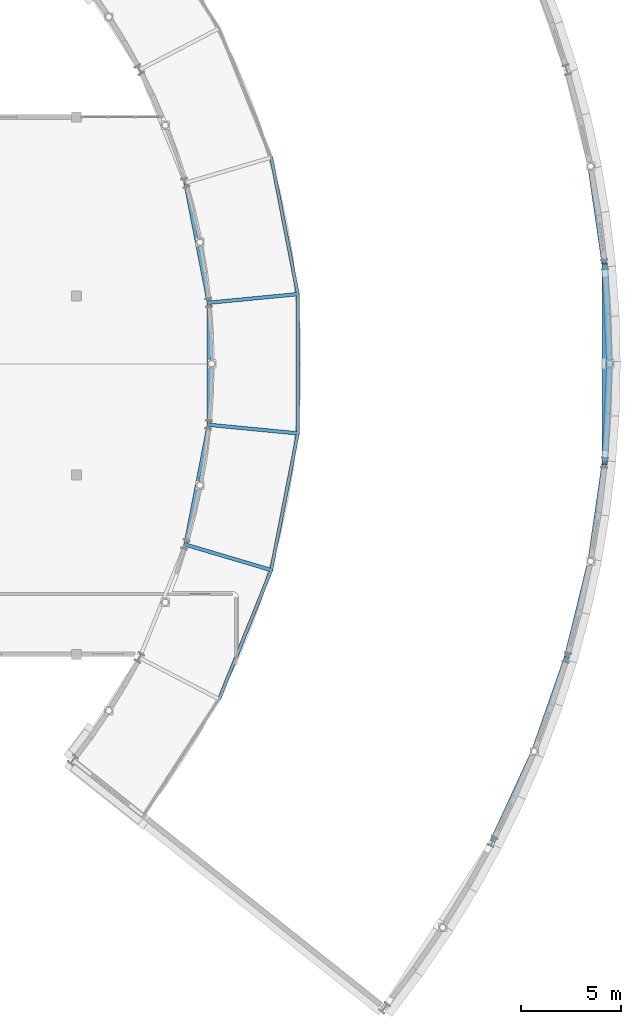
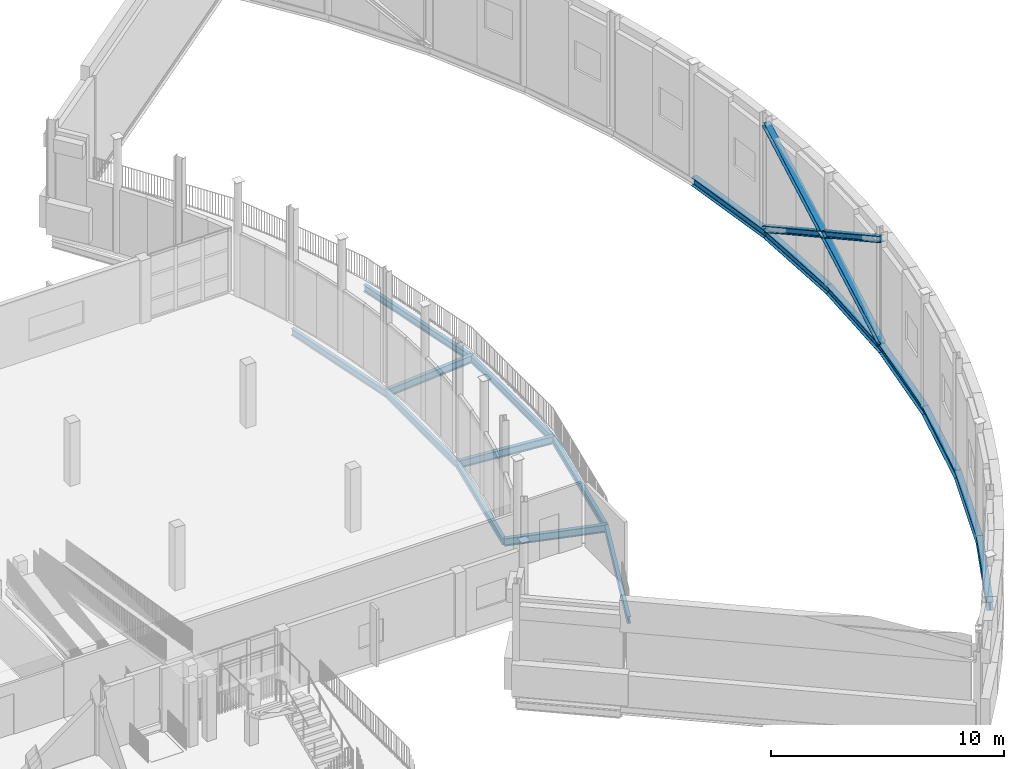
# One storey, part 46 of 104: 17 beams, 3 members.
"""IFC4 building model written with IfcOpenShell, lengths in metres."""

from ifc_helpers import new_model, si_unit, direction, frame, origin, origin_2d, place, context, subcontext, project, spatial, i_section, extrude, material, material_profile, profile_set, type_object, element, save


model = new_model("IFC4")

# Units and contexts
model_context = context("Model", 3, precision=1e-05, world=origin(), true_north=direction((0.0, 1.0)))
body_context = subcontext(model_context, "Body", "Model", "MODEL_VIEW")
ifc_project = project(units=[si_unit("LENGTHUNIT", "METRE"), si_unit("AREAUNIT", "SQUARE_METRE"), si_unit("VOLUMEUNIT", "CUBIC_METRE"), si_unit("PLANEANGLEUNIT", "RADIAN"), si_unit("MASSUNIT", "GRAM", prefix="KILO")], contexts=[model_context])

# Site, building, storey
site_placement = place(None, origin())
site = spatial("IfcSite", under=ifc_project, at=site_placement, CompositionType="ELEMENT")
building_placement = place(site_placement, origin())
building = spatial("IfcBuilding", under=site, at=building_placement, Name="Vanh Quang Courtyard School", CompositionType="ELEMENT")
storey_placement = place(building_placement, frame((0.0, 0.0, 4.199951171875)))
storey = spatial("IfcBuildingStorey", under=building, at=storey_placement, Name="L01", CompositionType="ELEMENT", Elevation=4.199951171875)

# Beams
ifc_material = material(Name="Structural steel EN 10025-2 S355J2", Category="steel")
ifc_material_profile_1 = material_profile(ifc_material, i_section(OverallWidth=0.300048828125, OverallDepth=0.43994140625, WebThickness=0.011474609375, FlangeThickness=0.02099609375, FilletRadius=0.027099609375, at=origin_2d()), Name="HEA 450")
ifc_profile_set_1 = profile_set([ifc_material_profile_1], Name="Structural steel EN 10025-2 S355J2")
beam_type_1 = type_object("IfcBeamType", Name="BM-STL-HEA450", PredefinedType="BEAM", material=ifc_profile_set_1)
beam_1_placement = place(storey_placement, frame((158.12451171875, 31.989013671875, -0.219970703125), z_axis=(0.418670301438, 0.908138303726, 0.0), x_axis=(-0.908138303726, 0.418670301438, 0.0)))
element("IfcBeam", 1, at=beam_1_placement, inside=storey, type_object=beam_type_1, Name="Beam SB-07 (L01)", PredefinedType="BEAM", context=body_context, shape_type="SweptSolid", body=[
    extrude(i_section(OverallWidth=0.300048828125, OverallDepth=0.43994140625, WebThickness=0.011474609375, FlangeThickness=0.02099609375, FilletRadius=0.027099609375, at=origin_2d()), origin(), (0.0, 0.0, 1.0), 4.989990234375),
])
for number, where, z_axis, x_axis, name in (
    (2, (160.213623046875, 36.5205078125, -0.219970703125), (0.329685601796, 0.944090781635, 0.0), (-0.944090781635, 0.329685601796, 0.0), "Beam SB-07 (L01)"),
    (3, (161.858642578125, 41.231201171875, -0.219970703125), (0.237697272168, 0.971339285113, 0.0), (-0.971339285113, 0.237697272168, 0.0), "Beam SB-07 (L01)"),
    (4, (163.044677734375, 46.077880859375, -0.219970703125), (0.143455463532, 0.989656773828, 0.0), (-0.989656773828, 0.143455463532, 0.0), "Beam SB-07 (L01)"),
    (5, (163.760498046875, 51.01611328125, -0.219970703125), (0.04799986493, 0.998847342173, 0.0), (-0.998847342173, 0.04799986493, 0.0), "Beam SB-07 (L01)"),
    (6, (164.0, 56.0, -0.219970703125), (-0.04799986493, 0.998847342173, 0.0), (-0.998847342173, -0.04799986493, 0.0), "Beam SB-07 (L01)"),
    (7, (163.760498046875, 60.98388671875, -0.219970703125), (-0.143455463532, 0.989656773828, 0.0), (-0.989656773828, -0.143455463532, 0.0), "Beam SB-07 (L01)"),
):
    element("IfcBeam", number, at=place(storey_placement, frame(where, z_axis=z_axis, x_axis=x_axis)), inside=storey, type_object=beam_type_1, Name=name, PredefinedType="BEAM", context=body_context, shape_type="SweptSolid", body=[
        extrude(i_section(OverallWidth=0.300048828125, OverallDepth=0.43994140625, WebThickness=0.011474609375, FlangeThickness=0.02099609375, FilletRadius=0.027099609375, at=origin_2d()), origin(), (0.0, 0.0, 1.0), 4.98974609375),
    ])
ifc_material_profile_2 = material_profile(ifc_material, i_section(OverallWidth=0.169921875, OverallDepth=0.360107421875, WebThickness=0.008056640625, FlangeThickness=0.0126953125, FilletRadius=0.01806640625, at=origin_2d()), Name="IPE 360")
ifc_profile_set_2 = profile_set([ifc_material_profile_2], Name="Structural steel EN 10025-2 S355J2")
beam_type_2 = type_object("IfcBeamType", Name="BM-STL-IPE360", PredefinedType="BEAM", material=ifc_profile_set_2)
beam_2_placement = place(storey_placement, frame((144.3759765625, 39.146240234375, -0.47998046875), z_axis=(0.374595168761, 0.927188470345, 0.0), x_axis=(-0.927188470345, 0.374595168761, 0.0)))
element("IfcBeam", 8, at=beam_2_placement, inside=storey, type_object=beam_type_2, Name="Beam SB-06 (L01)", PredefinedType="BEAM", context=body_context, shape_type="SweptSolid", body=[
    extrude(i_section(OverallWidth=0.169921875, OverallDepth=0.360107421875, WebThickness=0.008056640625, FlangeThickness=0.0126953125, FilletRadius=0.01806640625, at=origin_2d()), origin(), (0.0, 0.0, 1.0), 6.99658203125),
])
beam_3_placement = place(storey_placement, frame((142.68212890625, 46.91162109375, -0.47998046875), z_axis=(0.190847287461, 0.981619739445, 0.0), x_axis=(-0.981619739445, 0.190847287461, 0.0)))
element("IfcBeam", 9, at=beam_3_placement, inside=storey, type_object=beam_type_2, Name="Beam SB-06 (L01)", PredefinedType="BEAM", context=body_context, shape_type="SweptSolid", body=[
    extrude(i_section(OverallWidth=0.169921875, OverallDepth=0.360107421875, WebThickness=0.008056640625, FlangeThickness=0.0126953125, FilletRadius=0.01806640625, at=origin_2d()), origin(), (0.0, 0.0, 1.0), 6.134033203125),
])
beam_4_placement = place(storey_placement, frame((146.996826171875, 45.63330078125, -0.47998046875), z_axis=(0.190825764709, 0.981623923671, 0.0), x_axis=(-0.981623923671, 0.190825764709, 0.0)))
element("IfcBeam", 10, at=beam_4_placement, inside=storey, type_object=beam_type_2, Name="Beam SB-06 (L01)", PredefinedType="BEAM", context=body_context, shape_type="SweptSolid", body=[
    extrude(i_section(OverallWidth=0.169921875, OverallDepth=0.360107421875, WebThickness=0.008056640625, FlangeThickness=0.0126953125, FilletRadius=0.01806640625, at=origin_2d()), origin(), (0.0, 0.0, 1.0), 6.9970703125),
])
beam_5_placement = place(storey_placement, frame((143.852783203125, 52.932861328125, -0.47998046875), z_axis=(0.0, 1.0, 0.0), x_axis=(-1.0, 0.0, 0.0)))
element("IfcBeam", 11, at=beam_5_placement, inside=storey, type_object=beam_type_2, Name="Beam SB-06 (L01)", PredefinedType="BEAM", context=body_context, shape_type="SweptSolid", body=[
    extrude(i_section(OverallWidth=0.169921875, OverallDepth=0.360107421875, WebThickness=0.008056640625, FlangeThickness=0.0126953125, FilletRadius=0.01806640625, at=origin_2d()), origin(), (0.0, 0.0, 1.0), 6.13427734375),
])
beam_6_placement = place(storey_placement, frame((148.33203125, 52.501708984375, -0.47998046875), z_axis=(0.0, 1.0, 0.0), x_axis=(-1.0, 0.0, 0.0)))
element("IfcBeam", 12, at=beam_6_placement, inside=storey, type_object=beam_type_2, Name="Beam SB-06 (L01)", PredefinedType="BEAM", context=body_context, shape_type="SweptSolid", body=[
    extrude(i_section(OverallWidth=0.169921875, OverallDepth=0.360107421875, WebThickness=0.008056640625, FlangeThickness=0.0126953125, FilletRadius=0.01806640625, at=origin_2d()), origin(), (0.0, 0.0, 1.0), 6.99658203125),
])
beam_7_placement = place(storey_placement, frame((143.852783203125, 59.067138671875, -0.47998046875), z_axis=(-0.190847287461, 0.981619739445, 0.0), x_axis=(-0.981619739445, -0.190847287461, 0.0)))
element("IfcBeam", 13, at=beam_7_placement, inside=storey, type_object=beam_type_2, Name="Beam SB-06 (L01)", PredefinedType="BEAM", context=body_context, shape_type="SweptSolid", body=[
    extrude(i_section(OverallWidth=0.169921875, OverallDepth=0.360107421875, WebThickness=0.008056640625, FlangeThickness=0.0126953125, FilletRadius=0.01806640625, at=origin_2d()), origin(), (0.0, 0.0, 1.0), 6.134033203125),
])
beam_8_placement = place(storey_placement, frame((148.33203125, 59.498291015625, -0.47998046875), z_axis=(-0.190825764709, 0.981623923671, 0.0), x_axis=(-0.981623923671, -0.190825764709, 0.0)))
element("IfcBeam", 14, at=beam_8_placement, inside=storey, type_object=beam_type_2, Name="Beam SB-06 (L01)", PredefinedType="BEAM", context=body_context, shape_type="SweptSolid", body=[
    extrude(i_section(OverallWidth=0.169921875, OverallDepth=0.360107421875, WebThickness=0.008056640625, FlangeThickness=0.0126953125, FilletRadius=0.01806640625, at=origin_2d()), origin(), (0.0, 0.0, 1.0), 6.9970703125),
])
ifc_material_profile_3 = material_profile(ifc_material, i_section(OverallWidth=0.179931640625, OverallDepth=0.39990234375, WebThickness=0.008544921875, FlangeThickness=0.013427734375, FilletRadius=0.02099609375, at=origin_2d()), Name="IPE 400")
ifc_profile_set_3 = profile_set([ifc_material_profile_3], Name="Structural steel EN 10025-2 S355J2")
beam_type_3 = type_object("IfcBeamType", Name="BM-STL-IPE400", PredefinedType="BEAM", material=ifc_profile_set_3)
for number, where, z_axis, x_axis, name in (
    (15, (142.68212890625, 46.91162109375, -0.47998046875), (0.958804680222, -0.284066163393, 0.0), (0.284066163393, 0.958804680222, 0.0), "Beam SB-05 (L01)"),
    (16, (143.852783203125, 52.932861328125, -0.47998046875), (0.995399381974, -0.095812683739, 0.0), (0.095812683739, 0.995399381974, 0.0), "Beam SB-05 (L01)"),
    (17, (143.852783203125, 59.067138671875, -0.47998046875), (0.995399381974, 0.095812683739, 0.0), (-0.095812683739, 0.995399381974, 0.0), "Beam SB-05 (L01)"),
):
    element("IfcBeam", number, at=place(storey_placement, frame(where, z_axis=z_axis, x_axis=x_axis)), inside=storey, type_object=beam_type_3, Name=name, PredefinedType="BEAM", context=body_context, shape_type="SweptSolid", body=[
        extrude(i_section(OverallWidth=0.179931640625, OverallDepth=0.39990234375, WebThickness=0.008544921875, FlangeThickness=0.013427734375, FilletRadius=0.02099609375, at=origin_2d()), origin(), (0.0, 0.0, 1.0), 4.5),
    ])

# Members
ifc_material_profile_4 = material_profile(ifc_material, i_section(OverallWidth=0.300048828125, OverallDepth=0.300048828125, WebThickness=0.010986328125, FlangeThickness=0.01904296875, FilletRadius=0.027099609375, at=origin_2d()), Name="HEB 300")
ifc_profile_set_4 = profile_set([ifc_material_profile_4], Name="Structural steel EN 10025-2 S355J2")
member_type = type_object("IfcMemberType", Name="MEM-BRC-HEB300", PredefinedType="BRACE", material=ifc_profile_set_4)
member_placement = place(storey_placement, frame((163.760498046875, 51.01611328125, 0.0), z_axis=(0.0, 0.875557665308, 0.483113625062), x_axis=(-1.0, 0.0, 0.0)))
element("IfcMember", 18, at=member_placement, inside=storey, type_object=member_type, Name="Structural Member MB-09 (L01)", PredefinedType="BRACE", context=body_context, shape_type="SweptSolid", body=[
    extrude(i_section(OverallWidth=0.300048828125, OverallDepth=0.300048828125, WebThickness=0.010986328125, FlangeThickness=0.01904296875, FilletRadius=0.027099609375, at=origin_2d()), origin(), (0.0, 0.0, 1.0), 11.384521484375),
])
for number, where, z_axis, x_axis, name in (
    (19, (163.760498046875, 60.98388671875, 0.0), (0.0, -0.875557665308, 0.483113625062), (1.0, 0.0, 0.0), "Structural Member MB-09 (L01)"),
    (20, (163.760498046875, 56.0, 2.75), (0.0, -0.875557665308, 0.483113625062), (1.0, 0.0, 0.0), "Structural Member MB-09 (L01)"),
):
    element("IfcMember", number, at=place(storey_placement, frame(where, z_axis=z_axis, x_axis=x_axis)), inside=storey, type_object=member_type, Name=name, PredefinedType="BRACE", context=body_context, shape_type="SweptSolid", body=[
        extrude(i_section(OverallWidth=0.300048828125, OverallDepth=0.300048828125, WebThickness=0.010986328125, FlangeThickness=0.01904296875, FilletRadius=0.027099609375, at=origin_2d()), origin(), (0.0, 0.0, 1.0), 5.692138671875),
    ])

save(model, "model.ifc")
